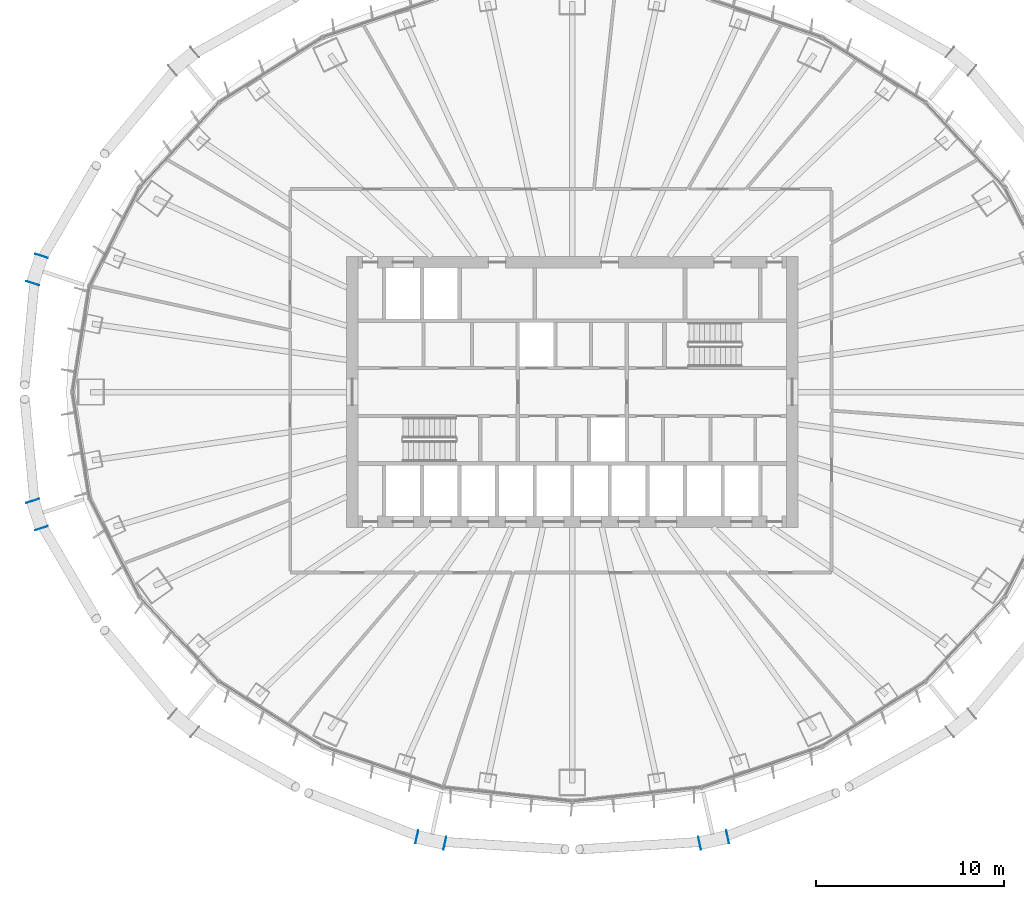
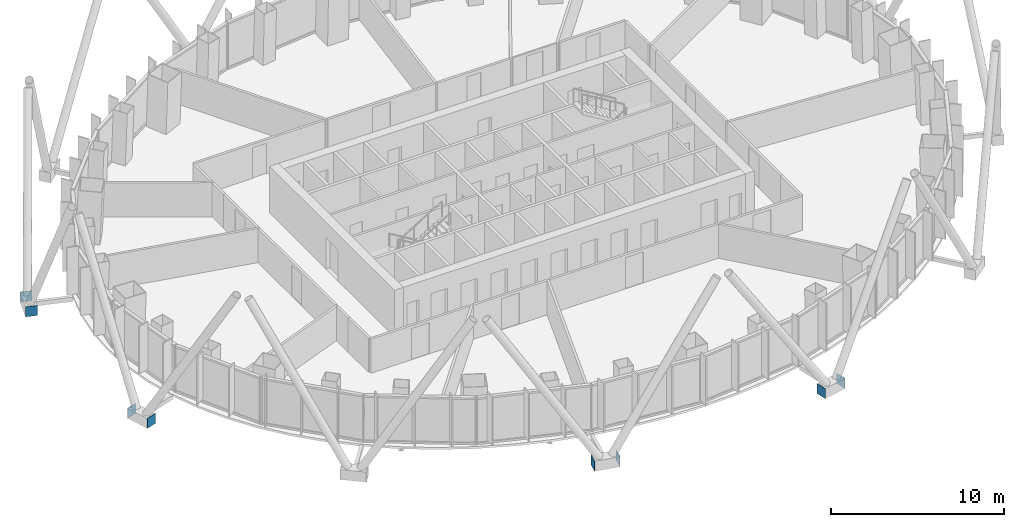
# One storey, part 13 of 18: 8 discrete accessories.
"""IFC4 building model written with IfcOpenShell, lengths in metres."""

from ifc_helpers import new_model, si_unit, direction, frame, origin, origin_2d, place, context, subcontext, project, spatial, rectangle, extrude, material, layer, layer_set, type_object, element, save


model = new_model("IFC4")

# Units and contexts
model_context = context("Model", 3, precision=1e-05, world=origin(), true_north=direction((0.0, 1.0)))
body_context = subcontext(model_context, "Body", "Model", "MODEL_VIEW")
ifc_project = project(units=[si_unit("LENGTHUNIT", "METRE"), si_unit("AREAUNIT", "SQUARE_METRE"), si_unit("VOLUMEUNIT", "CUBIC_METRE"), si_unit("PLANEANGLEUNIT", "RADIAN"), si_unit("MASSUNIT", "GRAM", prefix="KILO")], contexts=[model_context])

# Site, building, storey
site_placement = place(None, origin())
site = spatial("IfcSite", under=ifc_project, at=site_placement, CompositionType="ELEMENT")
building_placement = place(site_placement, origin())
building = spatial("IfcBuilding", under=site, at=building_placement, Name="Siaravel Broadcast Tower", CompositionType="ELEMENT")
storey_placement = place(building_placement, frame((0.0, 0.0, 81.5)))
storey = spatial("IfcBuildingStorey", under=building, at=storey_placement, Name="L19", CompositionType="ELEMENT", Elevation=81.5)

# Discrete accessories
ifc_material = material(Name="Steel S355", Category="steel")
ifc_layer = layer(ifc_material, 0.02001953125)
ifc_layer_set = layer_set([ifc_layer], Name="Steel S355")
discrete_accessory_type = type_object("IfcDiscreteAccessoryType", Name="Steel end plate 20 mm", PredefinedType="USERDEFINED", material=ifc_layer_set)
for number, where, z_axis, x_axis, name in (
    (1, (-28.705078125, 5.78857421875, -0.5498046875), (0.0, 0.0, 1.0), (-0.310908675, -0.950439791, 0.0), "End plate R08 station 33A"),
    (2, (-28.23046875, 7.23974609375, -0.5498046875), (0.0, 0.0, 1.0), (-0.310908675, -0.950439791, 0.0), "End plate R08 station 33B"),
    (3, (-28.23046875, -7.23974609375, -0.5498046875), (0.0, 0.0, 1.0), (0.310908675, -0.950439791, 0.0), "End plate R08 station 39A"),
    (4, (-28.705078125, -5.78857421875, -0.5498046875), (0.0, 0.0, 1.0), (0.310908675, -0.950439791, 0.0), "End plate R08 station 39B"),
    (5, (-6.77734375, -23.997314453125, -0.5498046875), (0.0, 0.0, 1.0), (0.976750917, -0.214377344, 0.0), "End plate R08 station 51A"),
    (6, (-8.268798828125, -23.669921875, -0.5498046875), (0.0, 0.0, 1.0), (0.976750917, -0.214377344, 0.0), "End plate R08 station 51B"),
    (7, (8.268798828125, -23.669921875, -0.5498046875), (0.0, 0.0, 1.0), (0.976750917, 0.214377344, 0.0), "End plate R08 station 57A"),
    (8, (6.77734375, -23.997314453125, -0.5498046875), (0.0, 0.0, 1.0), (0.976750917, 0.214377344, 0.0), "End plate R08 station 57B"),
):
    element("IfcDiscreteAccessory", number, at=place(storey_placement, frame(where, z_axis=z_axis, x_axis=x_axis)), inside=storey, type_object=discrete_accessory_type, Name=name, ObjectType="END PLATE", PredefinedType="USERDEFINED", context=body_context, shape_type="SweptSolid", body=[
        extrude(rectangle(XDim=0.02001953125, YDim=0.699951171875, at=origin_2d()), origin(), (0.0, 0.0, 1.0), 0.699951171875),
    ])

save(model, "model.ifc")
